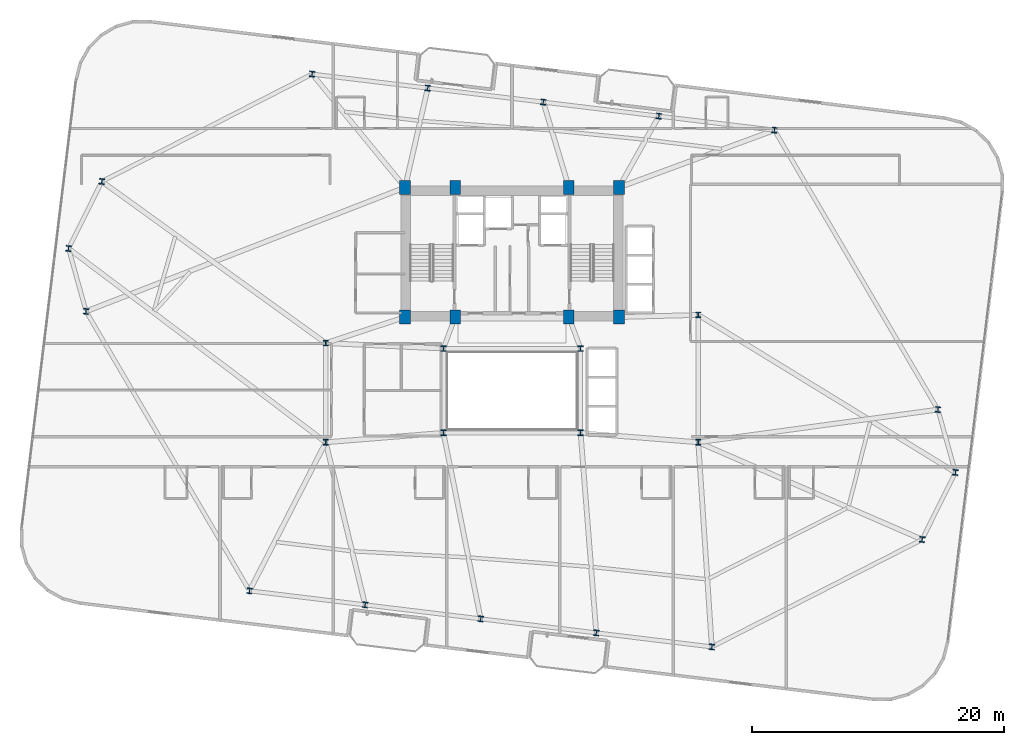
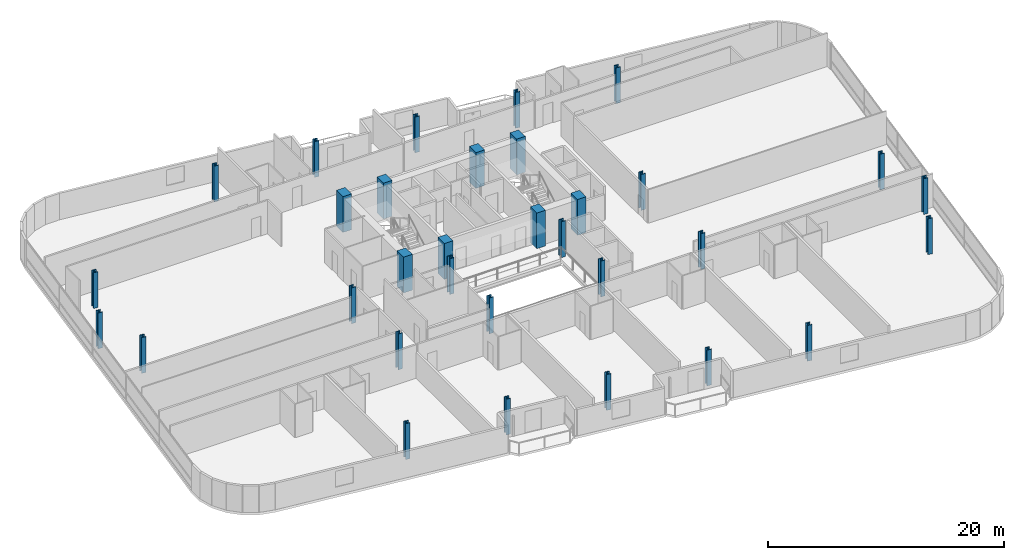
# One storey, part 1 of 26: 32 columns.
"""IFC4 building model written with IfcOpenShell, lengths in metres."""

from ifc_helpers import new_model, si_unit, direction, frame, origin, origin_2d, place, context, subcontext, project, spatial, rectangle, i_section, extrude, material, material_profile, profile_set, type_object, element, save


model = new_model("IFC4")

# Units and contexts
model_context = context("Model", 3, precision=1e-05, world=origin(), true_north=direction((0.0, 1.0)))
body_context = subcontext(model_context, "Body", "Model", "MODEL_VIEW")
ifc_project = project(units=[si_unit("LENGTHUNIT", "METRE"), si_unit("AREAUNIT", "SQUARE_METRE"), si_unit("VOLUMEUNIT", "CUBIC_METRE"), si_unit("PLANEANGLEUNIT", "RADIAN"), si_unit("MASSUNIT", "GRAM", prefix="KILO")], contexts=[model_context])

# Site, building, storey
site_placement = place(None, origin())
site = spatial("IfcSite", under=ifc_project, at=site_placement, CompositionType="ELEMENT")
building_placement = place(site_placement, origin())
building = spatial("IfcBuilding", under=site, at=building_placement, Name="Varnelok Gate Tower", CompositionType="ELEMENT")
storey_placement = place(building_placement, frame((0.0, 0.0, 143.89990234375)))
storey = spatial("IfcBuildingStorey", under=building, at=storey_placement, Name="L36", CompositionType="ELEMENT", Elevation=143.89990234375)

# Columns
ifc_material_1 = material(Name="Concrete C60/75", Category="concrete")
ifc_material_profile_1 = material_profile(ifc_material_1, rectangle(XDim=0.85009765625, YDim=1.10009765625, at=origin_2d()), Name="RC1100X850")
ifc_profile_set_1 = profile_set([ifc_material_profile_1], Name="Concrete C60/75")
column_type_1 = type_object("IfcColumnType", Name="COL-RC1100X850", PredefinedType="COLUMN", material=ifc_profile_set_1)
for number, where, z_axis, x_axis, name in (
    (1, (30.699951171875, 28.75, 0.0), (0.0, 0.0, 1.0), (1.0, 0.0, 0.0), "L36 Core Spine Column SC1"),
    (2, (34.679931640625, 28.75, 0.0), (0.0, 0.0, 1.0), (1.0, 0.0, 0.0), "L36 Core Spine Column SC2"),
    (3, (43.719970703125, 28.75, 0.0), (0.0, 0.0, 1.0), (1.0, 0.0, 0.0), "L36 Core Spine Column SC3"),
    (4, (47.699951171875, 28.75, 0.0), (0.0, 0.0, 1.0), (1.0, 0.0, 0.0), "L36 Core Spine Column SC4"),
    (5, (30.699951171875, 39.050048828125, 0.0), (0.0, 0.0, 1.0), (1.0, 0.0, 0.0), "L36 Core Spine Column SC5"),
    (6, (34.679931640625, 39.050048828125, 0.0), (0.0, 0.0, 1.0), (1.0, 0.0, 0.0), "L36 Core Spine Column SC6"),
    (7, (43.719970703125, 39.050048828125, 0.0), (0.0, 0.0, 1.0), (1.0, 0.0, 0.0), "L36 Core Spine Column SC7"),
    (8, (47.699951171875, 39.050048828125, 0.0), (0.0, 0.0, 1.0), (1.0, 0.0, 0.0), "L36 Core Spine Column SC8"),
):
    element("IfcColumn", number, at=place(storey_placement, frame(where, z_axis=z_axis, x_axis=x_axis)), inside=storey, type_object=column_type_1, Name=name, PredefinedType="COLUMN", context=body_context, shape_type="SweptSolid", body=[
        extrude(rectangle(XDim=0.85009765625, YDim=1.10009765625, at=origin_2d()), origin(), (0.0, 0.0, 1.0), 3.7001953125),
    ])
ifc_material_2 = material(Name="Structural Steel ASTM A992 Grade 50", Category="steel")
ifc_material_profile_2 = material_profile(ifc_material_2, i_section(OverallWidth=0.41796875, OverallDepth=0.455078125, WebThickness=0.0419921875, FlangeThickness=0.067626953125, FilletRadius=0.02490234375, at=origin_2d()), Name="W14X370")
ifc_profile_set_2 = profile_set([ifc_material_profile_2], Name="Structural Steel ASTM A992 Grade 50")
column_type_2 = type_object("IfcColumnType", Name="COL-W14X370", PredefinedType="COLUMN", material=ifc_profile_set_2)
for number, where, z_axis, x_axis, name in (
    (9, (33.75, 19.550048828125, 0.0), (0.0, 0.0, 1.0), (1.0, 0.0, 0.0), "L36 Atrium Spine Column AC1"),
    (10, (44.64990234375, 19.550048828125, 0.0), (0.0, 0.0, 1.0), (1.0, 0.0, 0.0), "L36 Atrium Spine Column AC2"),
    (11, (33.75, 26.25, 0.0), (0.0, 0.0, 1.0), (1.0, 0.0, 0.0), "L36 Atrium Spine Column AC3"),
    (12, (44.64990234375, 26.25, 0.0), (0.0, 0.0, 1.0), (1.0, 0.0, 0.0), "L36 Atrium Spine Column AC4"),
    (13, (24.39990234375, 18.800048828125, 0.0), (0.0, 0.0, 1.0), (1.0, 0.0, 0.0), "L36 Wing Spine Column WS1"),
    (14, (24.39990234375, 26.679931640625, 0.0), (0.0, 0.0, 1.0), (1.0, 0.0, 0.0), "L36 Wing Spine Column WS2"),
    (15, (54.0, 18.800048828125, 0.0), (0.0, 0.0, 1.0), (1.0, 0.0, 0.0), "L36 Wing Spine Column ES1"),
    (16, (54.0, 28.919921875, 0.0), (0.0, 0.0, 1.0), (1.0, 0.0, 0.0), "L36 Wing Spine Column ES2"),
    (17, (18.345703125, 6.99658203125, 0.0), (0.0, 0.0, 1.0), (0.992732158755, -0.12034475881, 0.0), "L36 B3 Perimeter Column PC01"),
    (18, (27.528564453125, 5.883544921875, 0.0), (0.0, 0.0, 1.0), (0.992732158755, -0.12034475881, 0.0), "L36 B3 Perimeter Column PC02"),
    (19, (36.711181640625, 4.770263671875, 0.0), (0.0, 0.0, 1.0), (0.992732158755, -0.12034475881, 0.0), "L36 B3 Perimeter Column PC03"),
    (20, (45.89404296875, 3.656982421875, 0.0), (0.0, 0.0, 1.0), (0.992732158755, -0.12034475881, 0.0), "L36 B3 Perimeter Column PC04"),
    (21, (55.076904296875, 2.5439453125, 0.0), (0.0, 0.0, 1.0), (0.992732158755, -0.12034475881, 0.0), "L36 B3 Perimeter Column PC05"),
    (22, (71.79296875, 11.07421875, 0.0), (0.0, 0.0, 1.0), (0.992732158755, -0.12034475881, 0.0), "L36 B3 Perimeter Column PC06"),
    (23, (74.435546875, 16.40478515625, 0.0), (0.0, 0.0, 1.0), (0.992732158755, -0.12034475881, 0.0), "L36 B3 Perimeter Column PC07"),
    (24, (73.04443359375, 21.398681640625, 0.0), (0.0, 0.0, 1.0), (0.992732158755, -0.12034475881, 0.0), "L36 B3 Perimeter Column PC08"),
    (25, (60.05419921875, 43.603271484375, 0.0), (0.0, 0.0, 1.0), (0.992732158755, -0.12034475881, 0.0), "L36 B3 Perimeter Column PC09"),
    (26, (50.87158203125, 44.716552734375, 0.0), (0.0, 0.0, 1.0), (0.992732158755, -0.12034475881, 0.0), "L36 B3 Perimeter Column PC10"),
    (27, (41.688720703125, 45.82958984375, 0.0), (0.0, 0.0, 1.0), (0.992732158755, -0.12034475881, 0.0), "L36 B3 Perimeter Column PC11"),
    (28, (32.506103515625, 46.94287109375, 0.0), (0.0, 0.0, 1.0), (0.992732158755, -0.12034475881, 0.0), "L36 B3 Perimeter Column PC12"),
    (29, (23.3232421875, 48.05615234375, 0.0), (0.0, 0.0, 1.0), (0.992732158755, -0.12034475881, 0.0), "L36 B3 Perimeter Column PC13"),
    (30, (6.607177734375, 39.52587890625, 0.0), (0.0, 0.0, 1.0), (0.992732158755, -0.12034475881, 0.0), "L36 B3 Perimeter Column PC14"),
    (31, (3.96435546875, 34.195068359375, 0.0), (0.0, 0.0, 1.0), (0.992732158755, -0.12034475881, 0.0), "L36 B3 Perimeter Column PC15"),
    (32, (5.35546875, 29.201416015625, 0.0), (0.0, 0.0, 1.0), (0.992732158755, -0.12034475881, 0.0), "L36 B3 Perimeter Column PC16"),
):
    element("IfcColumn", number, at=place(storey_placement, frame(where, z_axis=z_axis, x_axis=x_axis)), inside=storey, type_object=column_type_2, Name=name, PredefinedType="COLUMN", context=body_context, shape_type="SweptSolid", body=[
        extrude(i_section(OverallWidth=0.41796875, OverallDepth=0.455078125, WebThickness=0.0419921875, FlangeThickness=0.067626953125, FilletRadius=0.02490234375, at=origin_2d()), origin(), (0.0, 0.0, 1.0), 3.7001953125),
    ])

save(model, "model.ifc")
